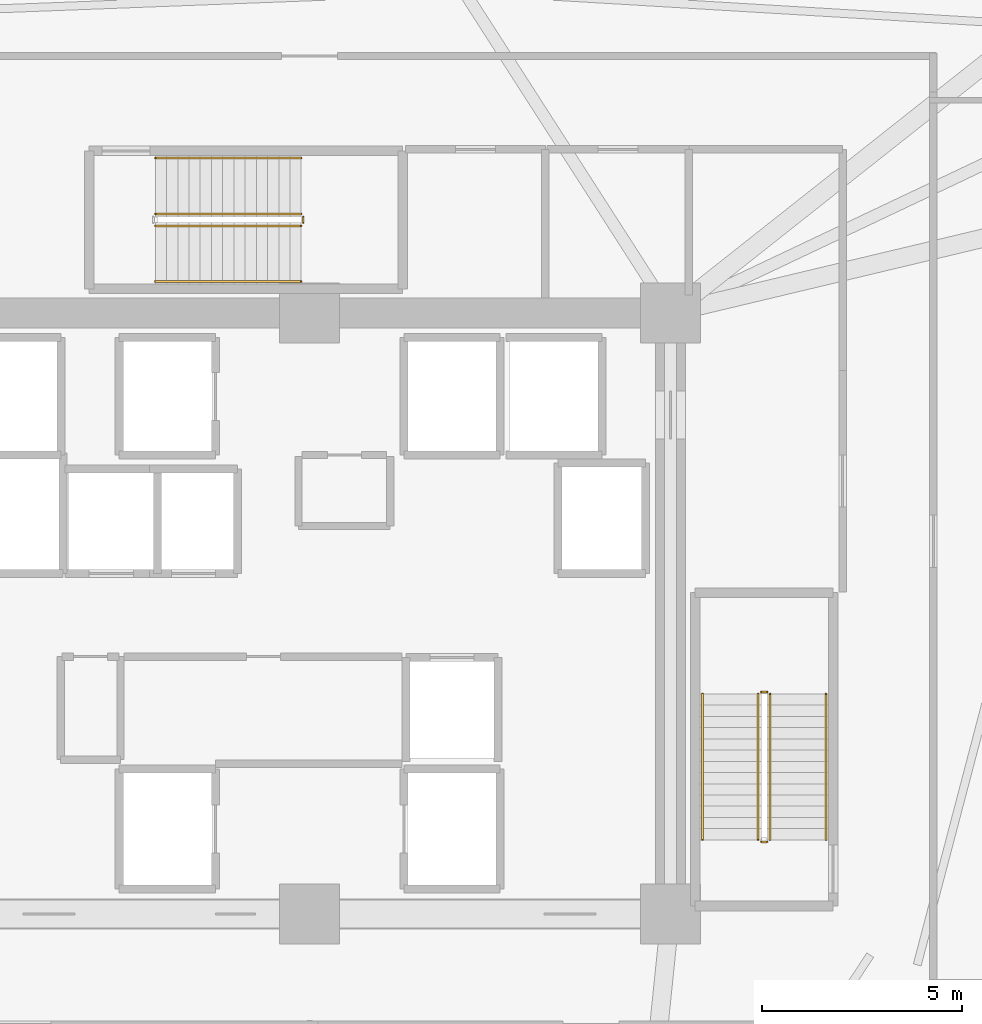
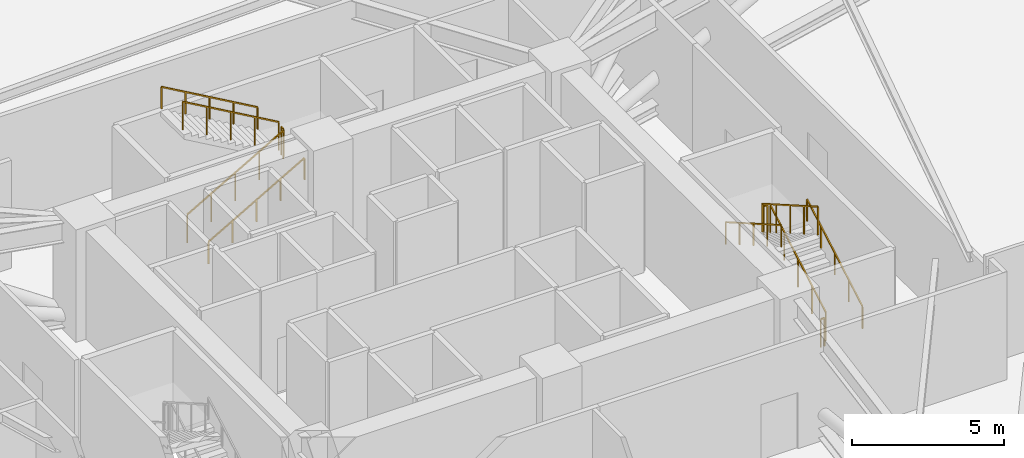
# One storey, part 22 of 23: 11 railings.
"""IFC4 building model written with IfcOpenShell, lengths in metres."""

from ifc_helpers import new_model, si_unit, direction, frame, origin, origin_2d, place, context, subcontext, project, spatial, rectangle, extrude, material, type_object, element, save


model = new_model("IFC4")

# Units and contexts
model_context = context("Model", 3, precision=1e-05, world=origin(), true_north=direction((0.0, 1.0)))
body_context = subcontext(model_context, "Body", "Model", "MODEL_VIEW")
ifc_project = project(units=[si_unit("LENGTHUNIT", "METRE"), si_unit("AREAUNIT", "SQUARE_METRE"), si_unit("VOLUMEUNIT", "CUBIC_METRE"), si_unit("PLANEANGLEUNIT", "RADIAN"), si_unit("MASSUNIT", "GRAM", prefix="KILO")], contexts=[model_context])

# Site, building, storey
site_placement = place(None, origin())
site = spatial("IfcSite", under=ifc_project, at=site_placement, CompositionType="ELEMENT")
building_placement = place(site_placement, origin())
building = spatial("IfcBuilding", under=site, at=building_placement, Name="Liaohun Quay Tower", CompositionType="ELEMENT")
storey_placement = place(building_placement, frame((0.0, 0.0, 139.5)))
storey = spatial("IfcBuildingStorey", under=building, at=storey_placement, Name="L36", CompositionType="ELEMENT", Elevation=139.5)

# Railings
ifc_material_1 = material(Name="Painted tubular steel", Category="steel")
railing_type_1 = type_object("IfcRailingType", Name="RLG-GUARD-STR", PredefinedType="GUARDRAIL", material=ifc_material_1)
railing_1_placement = place(storey_placement, frame((71.489990234375, 48.35009765625, 0.16064453125)))
element("IfcRailing", 1, at=railing_1_placement, inside=storey, type_object=railing_type_1, Name="L36 ST-2 stair guard 1", PredefinedType="GUARDRAIL", context=body_context, shape_type="SweptSolid", body=[
    extrude(rectangle(XDim=0.048095703125, YDim=0.048095703125, at=origin_2d()), frame((0.0, 0.0, 1.1259765625), z_axis=(0.0, 0.8672749571, 0.497829437445), x_axis=(-1.0, 0.0, 0.0)), (0.0, 0.0, 1.0), 4.197021484375),
    extrude(rectangle(XDim=0.0419921875, YDim=0.0419921875, at=origin_2d()), origin(), (0.0, 0.0, 1.0), 1.101806640625),
    extrude(rectangle(XDim=0.0419921875, YDim=0.0419921875, at=origin_2d()), frame((0.0, 0.909912109375, 0.5224609375)), (0.0, 0.0, 1.0), 1.101806640625),
    extrude(rectangle(XDim=0.0419921875, YDim=0.0419921875, at=origin_2d()), frame((0.0, 1.81982421875, 1.044677734375)), (0.0, 0.0, 1.0), 1.101806640625),
    extrude(rectangle(XDim=0.0419921875, YDim=0.0419921875, at=origin_2d()), frame((0.0, 2.72998046875, 1.56689453125)), (0.0, 0.0, 1.0), 1.101806640625),
    extrude(rectangle(XDim=0.0419921875, YDim=0.0419921875, at=origin_2d()), frame((0.0, 3.639892578125, 2.08935546875)), (0.0, 0.0, 1.0), 1.101806640625),
])
railing_2_placement = place(storey_placement, frame((71.409912109375, 52.0400390625, 2.25)))
element("IfcRailing", 2, at=railing_2_placement, inside=storey, type_object=railing_type_1, Name="L36 ST-2 stair guard 2", PredefinedType="GUARDRAIL", context=body_context, shape_type="SweptSolid", body=[
    extrude(rectangle(XDim=0.048095703125, YDim=0.048095703125, at=origin_2d()), frame((0.0, 0.0, 1.1259765625), z_axis=(-1.0, 0.0, 0.0), x_axis=(0.0, -1.0, 0.0)), (0.0, 0.0, 1.0), 0.139892578125),
    extrude(rectangle(XDim=0.0419921875, YDim=0.0419921875, at=origin_2d()), origin(), (0.0, 0.0, 1.0), 1.101806640625),
    extrude(rectangle(XDim=0.0419921875, YDim=0.0419921875, at=origin_2d()), frame((-0.139892578125, 0.0, 0.0)), (0.0, 0.0, 1.0), 1.101806640625),
])
railing_3_placement = place(storey_placement, frame((71.18994140625, 51.989990234375, 2.41064453125)))
element("IfcRailing", 3, at=railing_3_placement, inside=storey, type_object=railing_type_1, Name="L36 ST-2 stair guard 3", PredefinedType="GUARDRAIL", context=body_context, shape_type="SweptSolid", body=[
    extrude(rectangle(XDim=0.048095703125, YDim=0.048095703125, at=origin_2d()), frame((0.0, 0.0, 1.1259765625), z_axis=(0.0, -0.8672749571, 0.497829437445), x_axis=(1.0, 0.0, 0.0)), (0.0, 0.0, 1.0), 4.197021484375),
    extrude(rectangle(XDim=0.0419921875, YDim=0.0419921875, at=origin_2d()), origin(), (0.0, 0.0, 1.0), 1.101806640625),
    extrude(rectangle(XDim=0.0419921875, YDim=0.0419921875, at=origin_2d()), frame((0.0, -0.909912109375, 0.5224609375)), (0.0, 0.0, 1.0), 1.101806640625),
    extrude(rectangle(XDim=0.0419921875, YDim=0.0419921875, at=origin_2d()), frame((0.0, -1.81982421875, 1.044677734375)), (0.0, 0.0, 1.0), 1.101806640625),
    extrude(rectangle(XDim=0.0419921875, YDim=0.0419921875, at=origin_2d()), frame((0.0, -2.72998046875, 1.56689453125)), (0.0, 0.0, 1.0), 1.101806640625),
    extrude(rectangle(XDim=0.0419921875, YDim=0.0419921875, at=origin_2d()), frame((0.0, -3.639892578125, 2.08935546875)), (0.0, 0.0, 1.0), 1.101806640625),
])
railing_4_placement = place(storey_placement, frame((71.409912109375, 48.300048828125, 0.0)))
element("IfcRailing", 4, at=railing_4_placement, inside=storey, type_object=railing_type_1, Name="L36 ST-2 stair guard 4", PredefinedType="GUARDRAIL", context=body_context, shape_type="SweptSolid", body=[
    extrude(rectangle(XDim=0.048095703125, YDim=0.048095703125, at=origin_2d()), frame((0.0, 0.0, 1.1259765625), z_axis=(-1.0, 0.0, 0.0), x_axis=(0.0, -1.0, 0.0)), (0.0, 0.0, 1.0), 0.139892578125),
    extrude(rectangle(XDim=0.0419921875, YDim=0.0419921875, at=origin_2d()), origin(), (0.0, 0.0, 1.0), 1.101806640625),
    extrude(rectangle(XDim=0.0419921875, YDim=0.0419921875, at=origin_2d()), frame((-0.139892578125, 0.0, 0.0)), (0.0, 0.0, 1.0), 1.101806640625),
])
railing_5_placement = place(storey_placement, frame((56.14990234375, 63.669921875, 0.16064453125)))
element("IfcRailing", 5, at=railing_5_placement, inside=storey, type_object=railing_type_1, Name="L36 ST-3 stair guard 1", PredefinedType="GUARDRAIL", context=body_context, shape_type="SweptSolid", body=[
    extrude(rectangle(XDim=0.048095703125, YDim=0.048095703125, at=origin_2d()), frame((0.0, 0.0, 1.1259765625), z_axis=(0.867289372828, 0.0, 0.497804322781), x_axis=(0.0, 1.0, 0.0)), (0.0, 0.0, 1.0), 4.197021484375),
    extrude(rectangle(XDim=0.0419921875, YDim=0.0419921875, at=origin_2d()), origin(), (0.0, 0.0, 1.0), 1.101806640625),
    extrude(rectangle(XDim=0.0419921875, YDim=0.0419921875, at=origin_2d()), frame((0.91015625, 0.0, 0.5224609375)), (0.0, 0.0, 1.0), 1.101806640625),
    extrude(rectangle(XDim=0.0419921875, YDim=0.0419921875, at=origin_2d()), frame((1.820068359375, 0.0, 1.044677734375)), (0.0, 0.0, 1.0), 1.101806640625),
    extrude(rectangle(XDim=0.0419921875, YDim=0.0419921875, at=origin_2d()), frame((2.72998046875, 0.0, 1.56689453125)), (0.0, 0.0, 1.0), 1.101806640625),
    extrude(rectangle(XDim=0.0419921875, YDim=0.0419921875, at=origin_2d()), frame((3.64013671875, 0.0, 2.08935546875)), (0.0, 0.0, 1.0), 1.101806640625),
])
railing_6_placement = place(storey_placement, frame((59.840087890625, 63.75, 2.25)))
element("IfcRailing", 6, at=railing_6_placement, inside=storey, type_object=railing_type_1, Name="L36 ST-3 stair guard 2", PredefinedType="GUARDRAIL", context=body_context, shape_type="SweptSolid", body=[
    extrude(rectangle(XDim=0.048095703125, YDim=0.048095703125, at=origin_2d()), frame((0.0, 0.0, 1.1259765625), z_axis=(0.0, 1.0, 0.0), x_axis=(-1.0, 0.0, 0.0)), (0.0, 0.0, 1.0), 0.139892578125),
    extrude(rectangle(XDim=0.0419921875, YDim=0.0419921875, at=origin_2d()), origin(), (0.0, 0.0, 1.0), 1.101806640625),
    extrude(rectangle(XDim=0.0419921875, YDim=0.0419921875, at=origin_2d()), frame((0.0, 0.139892578125, 0.0)), (0.0, 0.0, 1.0), 1.101806640625),
])
railing_7_placement = place(storey_placement, frame((59.7900390625, 63.969970703125, 2.41064453125)))
element("IfcRailing", 7, at=railing_7_placement, inside=storey, type_object=railing_type_1, Name="L36 ST-3 stair guard 3", PredefinedType="GUARDRAIL", context=body_context, shape_type="SweptSolid", body=[
    extrude(rectangle(XDim=0.048095703125, YDim=0.048095703125, at=origin_2d()), frame((0.0, 0.0, 1.1259765625), z_axis=(-0.867289372828, 0.0, 0.497804322781), x_axis=(0.0, -1.0, 0.0)), (0.0, 0.0, 1.0), 4.197021484375),
    extrude(rectangle(XDim=0.0419921875, YDim=0.0419921875, at=origin_2d()), origin(), (0.0, 0.0, 1.0), 1.101806640625),
    extrude(rectangle(XDim=0.0419921875, YDim=0.0419921875, at=origin_2d()), frame((-0.91015625, 0.0, 0.5224609375)), (0.0, 0.0, 1.0), 1.101806640625),
    extrude(rectangle(XDim=0.0419921875, YDim=0.0419921875, at=origin_2d()), frame((-1.820068359375, 0.0, 1.044677734375)), (0.0, 0.0, 1.0), 1.101806640625),
    extrude(rectangle(XDim=0.0419921875, YDim=0.0419921875, at=origin_2d()), frame((-2.72998046875, 0.0, 1.56689453125)), (0.0, 0.0, 1.0), 1.101806640625),
    extrude(rectangle(XDim=0.0419921875, YDim=0.0419921875, at=origin_2d()), frame((-3.64013671875, 0.0, 2.08935546875)), (0.0, 0.0, 1.0), 1.101806640625),
])
ifc_material_2 = material(Name="Brushed stainless steel", Category="steel")
railing_type_2 = type_object("IfcRailingType", Name="RLG-HND-STR", PredefinedType="HANDRAIL", material=ifc_material_2)
railing_8_placement = place(storey_placement, frame((72.8798828125, 48.35009765625, 0.16064453125)))
element("IfcRailing", 8, at=railing_8_placement, inside=storey, type_object=railing_type_2, Name="L36 ST-2 stair handrail 1", PredefinedType="HANDRAIL", context=body_context, shape_type="SweptSolid", body=[
    extrude(rectangle(XDim=0.048095703125, YDim=0.048095703125, at=origin_2d()), frame((0.0, 0.0, 0.8759765625), z_axis=(0.0, 0.8672749571, 0.497829437445), x_axis=(-1.0, 0.0, 0.0)), (0.0, 0.0, 1.0), 4.197021484375),
    extrude(rectangle(XDim=0.0419921875, YDim=0.0419921875, at=origin_2d()), origin(), (0.0, 0.0, 1.0), 0.851806640625),
    extrude(rectangle(XDim=0.0419921875, YDim=0.0419921875, at=origin_2d()), frame((0.0, 0.909912109375, 0.5224609375)), (0.0, 0.0, 1.0), 0.851806640625),
    extrude(rectangle(XDim=0.0419921875, YDim=0.0419921875, at=origin_2d()), frame((0.0, 1.81982421875, 1.044677734375)), (0.0, 0.0, 1.0), 0.851806640625),
    extrude(rectangle(XDim=0.0419921875, YDim=0.0419921875, at=origin_2d()), frame((0.0, 2.72998046875, 1.56689453125)), (0.0, 0.0, 1.0), 0.851806640625),
    extrude(rectangle(XDim=0.0419921875, YDim=0.0419921875, at=origin_2d()), frame((0.0, 3.639892578125, 2.08935546875)), (0.0, 0.0, 1.0), 0.851806640625),
])
railing_9_placement = place(storey_placement, frame((69.800048828125, 51.989990234375, 2.41064453125)))
element("IfcRailing", 9, at=railing_9_placement, inside=storey, type_object=railing_type_2, Name="L36 ST-2 stair handrail 2", PredefinedType="HANDRAIL", context=body_context, shape_type="SweptSolid", body=[
    extrude(rectangle(XDim=0.048095703125, YDim=0.048095703125, at=origin_2d()), frame((0.0, 0.0, 0.8759765625), z_axis=(0.0, -0.8672749571, 0.497829437445), x_axis=(1.0, 0.0, 0.0)), (0.0, 0.0, 1.0), 4.197021484375),
    extrude(rectangle(XDim=0.0419921875, YDim=0.0419921875, at=origin_2d()), origin(), (0.0, 0.0, 1.0), 0.851806640625),
    extrude(rectangle(XDim=0.0419921875, YDim=0.0419921875, at=origin_2d()), frame((0.0, -0.909912109375, 0.5224609375)), (0.0, 0.0, 1.0), 0.851806640625),
    extrude(rectangle(XDim=0.0419921875, YDim=0.0419921875, at=origin_2d()), frame((0.0, -1.81982421875, 1.044677734375)), (0.0, 0.0, 1.0), 0.851806640625),
    extrude(rectangle(XDim=0.0419921875, YDim=0.0419921875, at=origin_2d()), frame((0.0, -2.72998046875, 1.56689453125)), (0.0, 0.0, 1.0), 0.851806640625),
    extrude(rectangle(XDim=0.0419921875, YDim=0.0419921875, at=origin_2d()), frame((0.0, -3.639892578125, 2.08935546875)), (0.0, 0.0, 1.0), 0.851806640625),
])
railing_10_placement = place(storey_placement, frame((56.14990234375, 62.280029296875, 0.16064453125)))
element("IfcRailing", 10, at=railing_10_placement, inside=storey, type_object=railing_type_2, Name="L36 ST-3 stair handrail 1", PredefinedType="HANDRAIL", context=body_context, shape_type="SweptSolid", body=[
    extrude(rectangle(XDim=0.048095703125, YDim=0.048095703125, at=origin_2d()), frame((0.0, 0.0, 0.8759765625), z_axis=(0.867289372828, 0.0, 0.497804322781), x_axis=(0.0, 1.0, 0.0)), (0.0, 0.0, 1.0), 4.197021484375),
    extrude(rectangle(XDim=0.0419921875, YDim=0.0419921875, at=origin_2d()), origin(), (0.0, 0.0, 1.0), 0.851806640625),
    extrude(rectangle(XDim=0.0419921875, YDim=0.0419921875, at=origin_2d()), frame((0.91015625, 0.0, 0.5224609375)), (0.0, 0.0, 1.0), 0.851806640625),
    extrude(rectangle(XDim=0.0419921875, YDim=0.0419921875, at=origin_2d()), frame((1.820068359375, 0.0, 1.044677734375)), (0.0, 0.0, 1.0), 0.851806640625),
    extrude(rectangle(XDim=0.0419921875, YDim=0.0419921875, at=origin_2d()), frame((2.72998046875, 0.0, 1.56689453125)), (0.0, 0.0, 1.0), 0.851806640625),
    extrude(rectangle(XDim=0.0419921875, YDim=0.0419921875, at=origin_2d()), frame((3.64013671875, 0.0, 2.08935546875)), (0.0, 0.0, 1.0), 0.851806640625),
])
railing_11_placement = place(storey_placement, frame((59.7900390625, 65.360107421875, 2.41064453125)))
element("IfcRailing", 11, at=railing_11_placement, inside=storey, type_object=railing_type_2, Name="L36 ST-3 stair handrail 2", PredefinedType="HANDRAIL", context=body_context, shape_type="SweptSolid", body=[
    extrude(rectangle(XDim=0.048095703125, YDim=0.048095703125, at=origin_2d()), frame((0.0, 0.0, 0.8759765625), z_axis=(-0.867289372828, 0.0, 0.497804322781), x_axis=(0.0, -1.0, 0.0)), (0.0, 0.0, 1.0), 4.197021484375),
    extrude(rectangle(XDim=0.0419921875, YDim=0.0419921875, at=origin_2d()), origin(), (0.0, 0.0, 1.0), 0.851806640625),
    extrude(rectangle(XDim=0.0419921875, YDim=0.0419921875, at=origin_2d()), frame((-0.91015625, 0.0, 0.5224609375)), (0.0, 0.0, 1.0), 0.851806640625),
    extrude(rectangle(XDim=0.0419921875, YDim=0.0419921875, at=origin_2d()), frame((-1.820068359375, 0.0, 1.044677734375)), (0.0, 0.0, 1.0), 0.851806640625),
    extrude(rectangle(XDim=0.0419921875, YDim=0.0419921875, at=origin_2d()), frame((-2.72998046875, 0.0, 1.56689453125)), (0.0, 0.0, 1.0), 0.851806640625),
    extrude(rectangle(XDim=0.0419921875, YDim=0.0419921875, at=origin_2d()), frame((-3.64013671875, 0.0, 2.08935546875)), (0.0, 0.0, 1.0), 0.851806640625),
])

save(model, "model.ifc")
